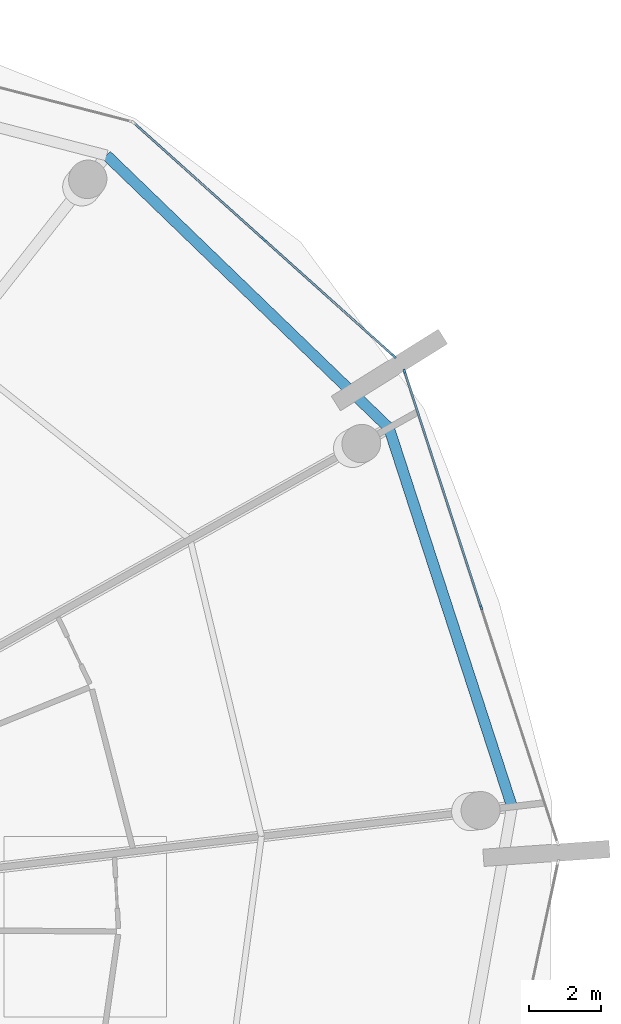
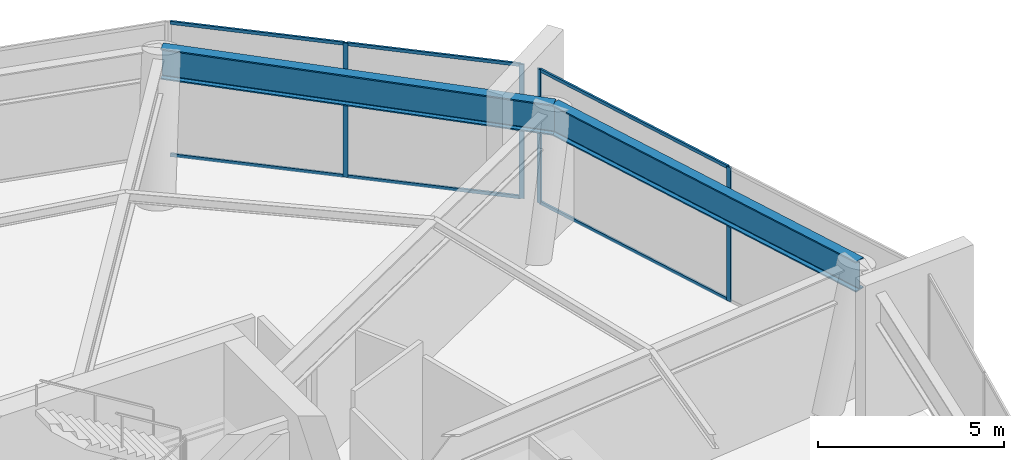
# One storey, part 14 of 22: 10 members, 2 beams, 2 elements without a shape of their own.
"""IFC4 building model written with IfcOpenShell, lengths in metres."""

import ifcopenshell
import ifcopenshell.guid

model = None  # the IFC model being written
_history = None  # IfcOwnerHistory: only IFC2X3 demands one
_inside = {}  # id of a spatial element -> (the spatial element, [elements in it])
_under = {}  # id of a project, library or spatial element -> (it, [spatial elements below it])
_declared = {}  # id of a project -> (the project, [libraries it declares])
_typed = {}  # id of a type object -> (the type object, [elements of that type])
_made_of = {}  # id of a material, layer set ... -> (it, [elements and type objects made of it])


def new_model(schema):
    """Start an empty IFC model of exactly this schema.

    Asked for "IFC4X3", IfcOpenShell would pick the latest addendum, in which some entities
    have other attributes; the version numbers below select the first issue.
    IFC2X3 requires an IfcOwnerHistory on every rooted entity: one is made here for all.
    """
    global model, _history
    if schema == "IFC4X3":
        model = ifcopenshell.file(schema_version=(4, 3, 0, 0))
    else:
        model = ifcopenshell.file(schema=schema)
    _inside.clear()
    _under.clear()
    _declared.clear()
    _typed.clear()
    _made_of.clear()
    _history = None
    if model.schema == "IFC2X3":
        org = make("IfcOrganization", Name="unknown")
        user = make(
            "IfcPersonAndOrganization",
            ThePerson=make("IfcPerson", FamilyName="unknown"),
            TheOrganization=org,
        )
        app = make(
            "IfcApplication",
            ApplicationDeveloper=org,
            Version="unknown",
            ApplicationFullName="unknown",
            ApplicationIdentifier="unknown",
        )
        _history = make(
            "IfcOwnerHistory",
            OwningUser=user,
            OwningApplication=app,
            ChangeAction="ADDED",
            CreationDate=0,
        )
    return model


def make(cls, **values):
    """One entity of the class cls with the attributes given. An attribute that is None is left unset."""
    return model.create_entity(
        cls, **{name: value for name, value in values.items() if value is not None}
    )


def rooted(cls, **values):
    """An entity with a GlobalId (a new one), such as an element, a storey or a relation."""
    return make(cls, GlobalId=ifcopenshell.guid.new(), OwnerHistory=_history, **values)


def si_unit(unit_type, name, prefix=None):
    """IfcSIUnit, for example si_unit("LENGTHUNIT", "METRE", prefix="MILLI")."""
    return make("IfcSIUnit", UnitType=unit_type, Prefix=prefix, Name=name)


def assignment(units):
    """IfcUnitAssignment: the units of a project."""
    return None if units is None else make("IfcUnitAssignment", Units=units)


def point(xyz):
    """IfcCartesianPoint."""
    return None if xyz is None else make("IfcCartesianPoint", Coordinates=xyz)


def direction(xyz):
    """IfcDirection."""
    return None if xyz is None else make("IfcDirection", DirectionRatios=xyz)


def frame(location, z_axis=None, x_axis=None):
    """IfcAxis2Placement3D, a coordinate frame: its origin and axes. An axis left out is left unset."""
    return make(
        "IfcAxis2Placement3D",
        Location=point(location),
        Axis=direction(z_axis),
        RefDirection=direction(x_axis),
    )


def frame_2d(location, x_axis=None):
    """IfcAxis2Placement2D, a coordinate frame in the plane: its origin and x axis."""
    return make(
        "IfcAxis2Placement2D", Location=point(location), RefDirection=direction(x_axis)
    )


def origin():
    """The frame at (0, 0, 0) with its axes left unset."""
    return frame((0.0, 0.0, 0.0))


def origin_2d():
    """The frame at (0, 0) in the plane with its x axis left unset."""
    return frame_2d((0.0, 0.0))


def place(relative_to, where):
    """IfcLocalPlacement: puts the frame where relative to a parent placement (None: the world)."""
    return make(
        "IfcLocalPlacement", PlacementRelTo=relative_to, RelativePlacement=where
    )


def context(
    kind, dimensions, precision=None, world=None, true_north=None, identifier=None
):
    """IfcGeometricRepresentationContext, for example the 3D "Model" context."""
    return make(
        "IfcGeometricRepresentationContext",
        ContextIdentifier=identifier,
        ContextType=kind,
        CoordinateSpaceDimension=dimensions,
        Precision=precision,
        WorldCoordinateSystem=world,
        TrueNorth=true_north,
    )


def subcontext(parent, identifier, kind, view, scale=None):
    """IfcGeometricRepresentationSubContext, for example "Body" below "Model"."""
    return make(
        "IfcGeometricRepresentationSubContext",
        ContextIdentifier=identifier,
        ContextType=kind,
        ParentContext=parent,
        TargetScale=scale,
        TargetView=view,
    )


def project(units=None, contexts=None):
    """IfcProject with its units and contexts."""
    return rooted(
        "IfcProject",
        Name="project",
        RepresentationContexts=contexts,
        UnitsInContext=assignment(units),
    )


def spatial(cls, under=None, at=None, **own):
    """A site, building, storey or space (cls), placed at a placement, below another one or the project."""
    s = rooted(cls, ObjectPlacement=at, **own)
    if under is not None:
        _under.setdefault(under.id(), (under, []))[1].append(s)
    return s


def profile(cls, at=None, kind="AREA", **sizes):
    """A parametric profile (cls). Its sizes go by their IFC names, for example OverallWidth=200.0."""
    return make(cls, ProfileType=kind, Position=at, **sizes)


def rectangle(**sizes):
    """IfcRectangleProfileDef."""
    return profile("IfcRectangleProfileDef", **sizes)


def i_section(**sizes):
    """IfcIShapeProfileDef."""
    return profile("IfcIShapeProfileDef", **sizes)


def extrude(swept, where, along, depth):
    """IfcExtrudedAreaSolid: the profile swept, set in the frame where, extruded along a direction by depth."""
    return make(
        "IfcExtrudedAreaSolid",
        SweptArea=swept,
        Position=where,
        ExtrudedDirection=direction(along),
        Depth=depth,
    )


def shape(context_of_items, identifier, shape_type, items):
    """IfcShapeRepresentation: the items that make up one representation, for example the "Body"."""
    return make(
        "IfcShapeRepresentation",
        ContextOfItems=context_of_items,
        RepresentationIdentifier=identifier,
        RepresentationType=shape_type,
        Items=items,
    )


def material(Name=None, Category=None):
    """IfcMaterial."""
    return make("IfcMaterial", Name=Name, Category=Category)


def layer(
    of_material, thickness, ventilated=None, Name=None, Category=None, Priority=None
):
    """IfcMaterialLayer: one layer of a wall or slab, of a material (None: an air gap)."""
    return make(
        "IfcMaterialLayer",
        Material=of_material,
        LayerThickness=thickness,
        IsVentilated=ventilated,
        Name=Name,
        Category=Category,
        Priority=Priority,
    )


def layer_set(layers, Name=None):
    """IfcMaterialLayerSet."""
    return make("IfcMaterialLayerSet", MaterialLayers=layers, LayerSetName=Name)


def material_profile(
    of_material, cross_section, Name=None, Category=None, Priority=None
):
    """IfcMaterialProfile: a cross section and its material."""
    return make(
        "IfcMaterialProfile",
        Name=Name,
        Material=of_material,
        Profile=cross_section,
        Priority=Priority,
        Category=Category,
    )


def profile_set(profiles, Name=None, composite=None):
    """IfcMaterialProfileSet."""
    return make(
        "IfcMaterialProfileSet",
        Name=Name,
        MaterialProfiles=profiles,
        CompositeProfile=composite,
    )


def made_of(thing, what):
    """Note that an element or type object is made of a material, layer set ...; save() writes the relation."""
    if what is not None:
        _made_of.setdefault(what.id(), (what, []))[1].append(thing)
    return thing


def type_object(cls, material=None, **own):
    """A type object (cls), such as IfcWallType, which elements share."""
    return made_of(rooted(cls, **own), material)


def element(
    cls,
    number,
    at=None,
    inside=None,
    cuts=None,
    type_object=None,
    material=None,
    context=None,
    identifier="Body",
    shape_type=None,
    held_by="IfcProductDefinitionShape",
    body=None,
    shapes=None,
    **own,
):
    """One element of the class cls, such as IfcWall. Its Tag is "e" and its number.

    at: its placement. inside: the storey or other place that contains it. cuts: it is an
    opening in that element (IfcRelVoidsElement). A single representation is given by context,
    identifier, shape_type and body (its items); several are given by shapes. held_by: the class
    of the entity that holds the representations. save() writes the other relations.
    """
    e = rooted(cls, Tag="e%d" % number, ObjectPlacement=at, **own)
    if body is not None:
        shapes = [shape(context, identifier, shape_type, body)]
    if shapes is not None:
        e.Representation = make(held_by, Representations=shapes)
    if inside is not None:
        _inside.setdefault(inside.id(), (inside, []))[1].append(e)
    if cuts is not None:
        rooted(
            "IfcRelVoidsElement", RelatingBuildingElement=cuts, RelatedOpeningElement=e
        )
    if type_object is not None:
        _typed.setdefault(type_object.id(), (type_object, []))[1].append(e)
    return made_of(e, material)


def aggregate(whole, parts):
    """IfcRelAggregates: a whole, such as a stair, and the parts it consists of."""
    return rooted("IfcRelAggregates", RelatingObject=whole, RelatedObjects=parts)


def save(model, path):
    """Write the relations noted so far, then the file.

    IfcRelAggregates (storeys below a building ...), IfcRelContainedInSpatialStructure (elements
    in a storey), IfcRelDefinesByType, IfcRelAssociatesMaterial and IfcRelDeclares: one each for
    every whole, place, type object, material and project.
    """
    for whole, parts in _under.values():
        aggregate(whole, parts)
    for where, things in _inside.values():
        rooted(
            "IfcRelContainedInSpatialStructure",
            RelatedElements=things,
            RelatingStructure=where,
        )
    for kind, things in _typed.values():
        rooted("IfcRelDefinesByType", RelatedObjects=things, RelatingType=kind)
    for what, things in _made_of.values():
        rooted("IfcRelAssociatesMaterial", RelatedObjects=things, RelatingMaterial=what)
    for by, libraries in _declared.values():
        rooted("IfcRelDeclares", RelatingContext=by, RelatedDefinitions=libraries)
    model.write(path)


model = new_model("IFC4")

# Units and contexts
model_context = context("Model", 3, precision=1e-05, world=origin(), true_north=direction((0.0, 1.0)))
body_context = subcontext(model_context, "Body", "Model", "MODEL_VIEW")
ifc_project = project(units=[si_unit("LENGTHUNIT", "METRE"), si_unit("AREAUNIT", "SQUARE_METRE"), si_unit("VOLUMEUNIT", "CUBIC_METRE"), si_unit("PLANEANGLEUNIT", "RADIAN"), si_unit("MASSUNIT", "GRAM", prefix="KILO")], contexts=[model_context])

# Site, building, storey
site_placement = place(None, origin())
site = spatial("IfcSite", under=ifc_project, at=site_placement, CompositionType="ELEMENT")
building_placement = place(site_placement, origin())
building = spatial("IfcBuilding", under=site, at=building_placement, Name="Kazma Halo Residences", CompositionType="ELEMENT")
storey_placement = place(building_placement, frame((0.0, 0.0, 231.89990234375)))
storey = spatial("IfcBuildingStorey", under=building, at=storey_placement, Name="L58", CompositionType="ELEMENT", Elevation=231.89990234375)

# Beams
ifc_material_1 = material(Name="Steel S355", Category="steel")
ifc_material_profile_1 = material_profile(ifc_material_1, i_section(OverallWidth=0.300048828125, OverallDepth=1.0, WebThickness=0.01904296875, FlangeThickness=0.0400390625, FilletRadius=0.02587890625, at=origin_2d()), Name="W1000x371")
ifc_profile_set_1 = profile_set([ifc_material_profile_1], Name="Steel S355")
beam_type = type_object("IfcBeamType", Name="BM-TRANS-W1000B", PredefinedType="BEAM", material=ifc_profile_set_1)
beam_1_placement = place(storey_placement, frame((72.67041015625, 55.81591796875, 3.900146484375), z_axis=(-0.719345757929, 0.694652201141, 0.0), x_axis=(-0.694652201141, -0.719345757929, 0.0)))
element("IfcBeam", 1, at=beam_1_placement, inside=storey, type_object=beam_type, Name="L58 perimeter ring beam 01", PredefinedType="BEAM", context=body_context, shape_type="SweptSolid", body=[
    extrude(i_section(OverallWidth=0.300048828125, OverallDepth=1.0, WebThickness=0.01904296875, FlangeThickness=0.0400390625, FilletRadius=0.02587890625, at=origin_2d()), origin(), (0.0, 0.0, 1.0), 10.87548828125),
])
beam_2_placement = place(storey_placement, frame((76.07958984375, 45.323486328125, 3.900146484375), z_axis=(-0.309015517474, 0.951056996168, 0.0), x_axis=(-0.951056996168, -0.309015517474, 0.0)))
element("IfcBeam", 2, at=beam_2_placement, inside=storey, type_object=beam_type, Name="L58 perimeter ring beam 16", PredefinedType="BEAM", context=body_context, shape_type="SweptSolid", body=[
    extrude(i_section(OverallWidth=0.300048828125, OverallDepth=1.0, WebThickness=0.01904296875, FlangeThickness=0.0400390625, FilletRadius=0.02587890625, at=origin_2d()), origin(), (0.0, 0.0, 1.0), 11.032470703125),
])

# Curtain wall, members
ifc_material_2 = material(Name="Aluminium AW-6063 T6 and Triple-Silver Low-E Glass", Category="aluminium")
ifc_layer = layer(ifc_material_2, 0.139892578125)
ifc_layer_set = layer_set([ifc_layer], Name="Aluminium AW-6063 T6 and Triple-Silver Low-E Glass")
curtain_wall_type = type_object("IfcCurtainWallType", Name="CW-SYS-5", PredefinedType="NOTDEFINED", material=ifc_layer_set)
curtain_wall_1_placement = place(storey_placement, origin())
curtain_wall_1 = element("IfcCurtainWall", 3, at=curtain_wall_1_placement, inside=storey, type_object=curtain_wall_type, Name="L58 unitised curtain wall B01", PredefinedType="NOTDEFINED")
ifc_material_3 = material(Name="Aluminium AW-6063 T6", Category="aluminium")
ifc_material_profile_2 = material_profile(ifc_material_3, rectangle(XDim=0.06005859375, YDim=0.139892578125, at=origin_2d()), Name="CWM-60x140")
ifc_profile_set_2 = profile_set([ifc_material_profile_2], Name="Aluminium AW-6063 T6")
member_type_1 = type_object("IfcMemberType", Name="CW-SYS-5-MUL", PredefinedType="MULLION", material=ifc_profile_set_2)
member_1_placement = place(storey_placement, frame((72.80517578125, 57.806640625, 0.0), z_axis=(0.0, 0.0, 1.0), x_axis=(-0.667800416694, -0.744340381454, 0.0)))
member_1 = element("IfcMember", 4, at=member_1_placement, type_object=member_type_1, Name="CWS-5 mullion 1", PredefinedType="MULLION", context=body_context, shape_type="SweptSolid", body=[
    extrude(rectangle(XDim=0.06005859375, YDim=0.139892578125, at=origin_2d()), origin(), (0.0, 0.0, 1.0), 4.400146484375),
])
member_2_placement = place(storey_placement, frame((69.201171875, 61.0400390625, 0.0), z_axis=(0.0, 0.0, 1.0), x_axis=(-0.667800416694, -0.744340381454, 0.0)))
member_2 = element("IfcMember", 5, at=member_2_placement, type_object=member_type_1, Name="CWS-5 mullion 2", PredefinedType="MULLION", context=body_context, shape_type="SweptSolid", body=[
    extrude(rectangle(XDim=0.06005859375, YDim=0.139892578125, at=origin_2d()), origin(), (0.0, 0.0, 1.0), 4.400146484375),
])

curtain_wall_2_placement = place(storey_placement, origin())
curtain_wall_2 = element("IfcCurtainWall", 6, at=curtain_wall_2_placement, inside=storey, type_object=curtain_wall_type, Name="L58 unitised curtain wall B16", PredefinedType="NOTDEFINED")
member_3_placement = place(storey_placement, frame((75.2255859375, 50.84619140625, 0.0), z_axis=(0.0, 0.0, 1.0), x_axis=(-0.951055583158, -0.309019866261, 0.0)))
member_3 = element("IfcMember", 7, at=member_3_placement, type_object=member_type_1, Name="CWS-5 mullion 2", PredefinedType="MULLION", context=body_context, shape_type="SweptSolid", body=[
    extrude(rectangle(XDim=0.06005859375, YDim=0.139892578125, at=origin_2d()), origin(), (0.0, 0.0, 1.0), 4.400146484375),
])
member_4_placement = place(storey_placement, frame((73.102783203125, 57.37890625, 0.0), z_axis=(0.0, 0.0, 1.0), x_axis=(-0.951055583158, -0.309019866261, 0.0)))
member_4 = element("IfcMember", 8, at=member_4_placement, type_object=member_type_1, Name="CWS-5 mullion 3", PredefinedType="MULLION", context=body_context, shape_type="SweptSolid", body=[
    extrude(rectangle(XDim=0.06005859375, YDim=0.139892578125, at=origin_2d()), origin(), (0.0, 0.0, 1.0), 4.400146484375),
])

# Member
ifc_material_profile_3 = material_profile(ifc_material_3, rectangle(XDim=0.06005859375, YDim=0.10498046875, at=origin_2d()), Name="CWT-60x105")
ifc_profile_set_3 = profile_set([ifc_material_profile_3], Name="Aluminium AW-6063 T6")
member_type_2 = type_object("IfcMemberType", Name="CW-SYS-5-TRN", PredefinedType="USERDEFINED", material=ifc_profile_set_3)
member_5_placement = place(storey_placement, frame((72.782958984375, 57.82666015625, 0.030029296875), z_axis=(-0.74433663393, 0.667804593717, 0.0), x_axis=(-0.667804593717, -0.74433663393, 0.0)))
member_5 = element("IfcMember", 9, at=member_5_placement, type_object=member_type_2, Name="CWS-5 transom 1.1", ObjectType="TRANSOM", PredefinedType="USERDEFINED", context=body_context, shape_type="SweptSolid", body=[
    extrude(rectangle(XDim=0.06005859375, YDim=0.10498046875, at=origin_2d()), origin(), (0.0, 0.0, 1.0), 4.781982421875),
])

member_6_placement = place(storey_placement, frame((72.782958984375, 57.82666015625, 4.3701171875), z_axis=(-0.74433663393, 0.667804593717, 0.0), x_axis=(-0.667804593717, -0.74433663393, 0.0)))
member_6 = element("IfcMember", 10, at=member_6_placement, type_object=member_type_2, Name="CWS-5 transom 1.2", ObjectType="TRANSOM", PredefinedType="USERDEFINED", context=body_context, shape_type="SweptSolid", body=[
    extrude(rectangle(XDim=0.06005859375, YDim=0.10498046875, at=origin_2d()), origin(), (0.0, 0.0, 1.0), 4.781982421875),
])

member_7_placement = place(storey_placement, frame((69.178955078125, 61.06005859375, 0.030029296875), z_axis=(-0.744359401449, 0.667779216115, 0.0), x_axis=(-0.667779216115, -0.744359401449, 0.0)))
member_7 = element("IfcMember", 11, at=member_7_placement, type_object=member_type_2, Name="CWS-5 transom 2.1", ObjectType="TRANSOM", PredefinedType="USERDEFINED", context=body_context, shape_type="SweptSolid", body=[
    extrude(rectangle(XDim=0.06005859375, YDim=0.10498046875, at=origin_2d()), origin(), (0.0, 0.0, 1.0), 4.781982421875),
])

member_8_placement = place(storey_placement, frame((69.178955078125, 61.06005859375, 4.3701171875), z_axis=(-0.744359401449, 0.667779216115, 0.0), x_axis=(-0.667779216115, -0.744359401449, 0.0)))
member_8 = element("IfcMember", 12, at=member_8_placement, type_object=member_type_2, Name="CWS-5 transom 2.2", ObjectType="TRANSOM", PredefinedType="USERDEFINED", context=body_context, shape_type="SweptSolid", body=[
    extrude(rectangle(XDim=0.06005859375, YDim=0.10498046875, at=origin_2d()), origin(), (0.0, 0.0, 1.0), 4.781982421875),
])

aggregate(curtain_wall_1, [member_1, member_2, member_5, member_6, member_7, member_8])

member_9_placement = place(storey_placement, frame((75.21630859375, 50.87451171875, 0.030029296875), z_axis=(-0.309033373877, 0.951051194116, 0.0), x_axis=(-0.951051194116, -0.309033373877, 0.0)))
member_9 = element("IfcMember", 13, at=member_9_placement, type_object=member_type_2, Name="CWS-5 transom 2.1", ObjectType="TRANSOM", PredefinedType="USERDEFINED", context=body_context, shape_type="SweptSolid", body=[
    extrude(rectangle(XDim=0.06005859375, YDim=0.10498046875, at=origin_2d()), origin(), (0.0, 0.0, 1.0), 6.80908203125),
])

member_10_placement = place(storey_placement, frame((75.21630859375, 50.87451171875, 4.3701171875), z_axis=(-0.309033373877, 0.951051194116, 0.0), x_axis=(-0.951051194116, -0.309033373877, 0.0)))
member_10 = element("IfcMember", 14, at=member_10_placement, type_object=member_type_2, Name="CWS-5 transom 2.2", ObjectType="TRANSOM", PredefinedType="USERDEFINED", context=body_context, shape_type="SweptSolid", body=[
    extrude(rectangle(XDim=0.06005859375, YDim=0.10498046875, at=origin_2d()), origin(), (0.0, 0.0, 1.0), 6.80908203125),
])

aggregate(curtain_wall_2, [member_3, member_4, member_9, member_10])

save(model, "model.ifc")
